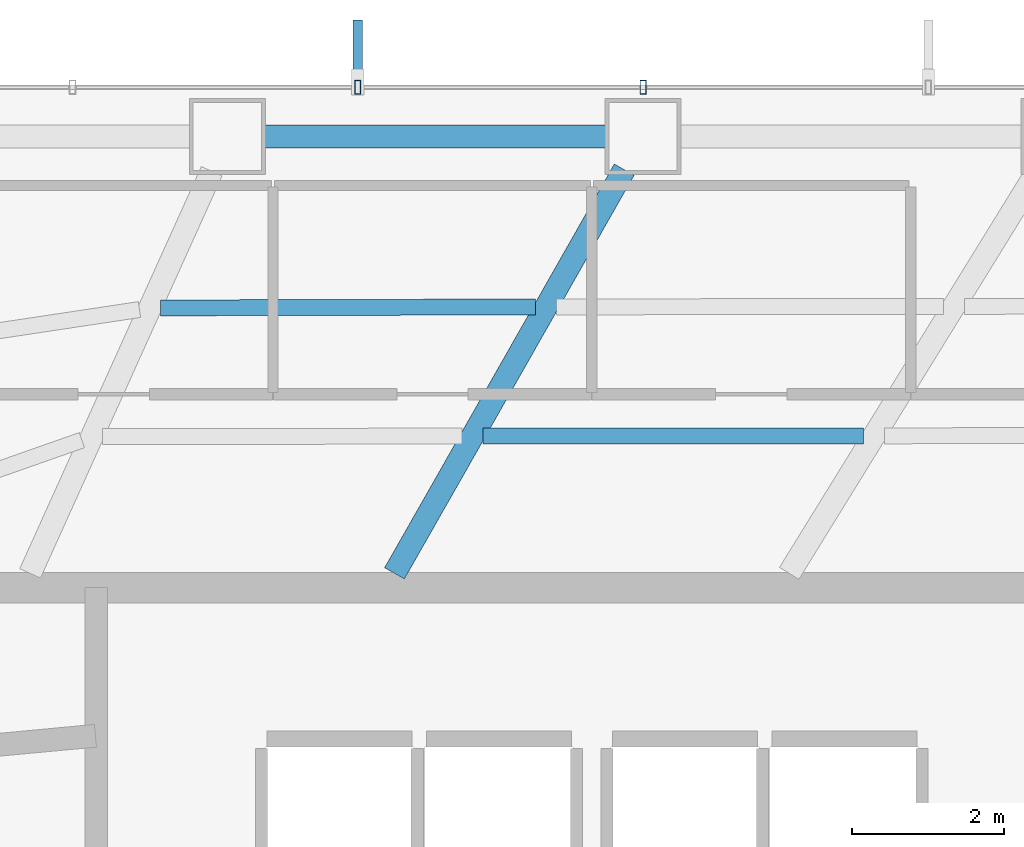
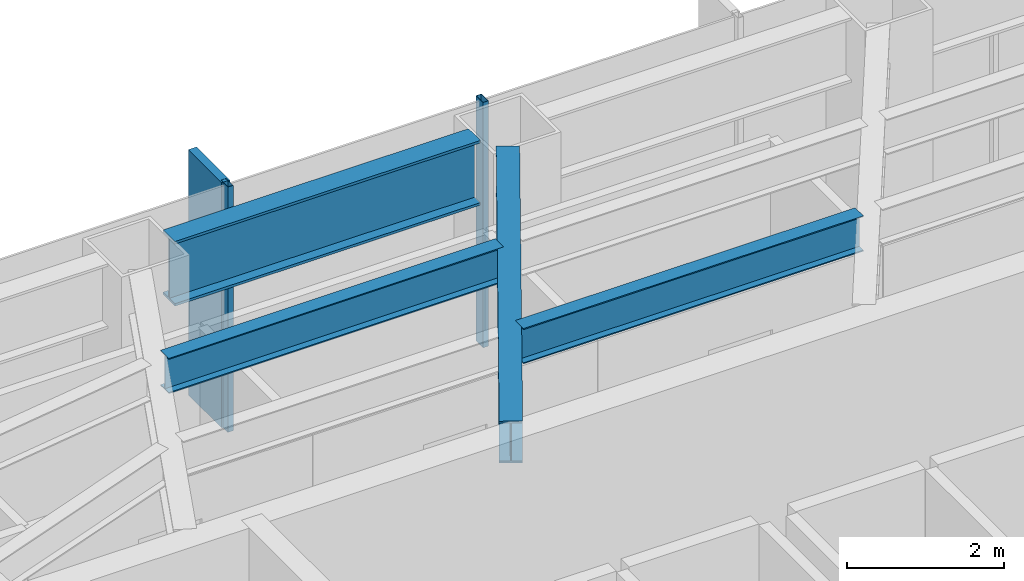
# One storey, part 13 of 25: 4 beams, 3 members, 1 element without a shape of its own.
"""IFC4 building model written with IfcOpenShell, lengths in metres."""

from ifc_helpers import new_model, si_unit, direction, frame, origin, origin_2d, place, context, subcontext, project, spatial, rectangle, hollow_rectangle, i_section, extrude, material, layer, layer_set, material_profile, profile_set, type_object, element, aggregate, save


model = new_model("IFC4")

# Units and contexts
model_context = context("Model", 3, precision=1e-05, world=origin(), true_north=direction((0.0, 1.0)))
body_context = subcontext(model_context, "Body", "Model", "MODEL_VIEW")
ifc_project = project(units=[si_unit("LENGTHUNIT", "METRE"), si_unit("AREAUNIT", "SQUARE_METRE"), si_unit("VOLUMEUNIT", "CUBIC_METRE"), si_unit("PLANEANGLEUNIT", "RADIAN"), si_unit("MASSUNIT", "GRAM", prefix="KILO")], contexts=[model_context])

# Site, building, storey
site_placement = place(None, origin())
site = spatial("IfcSite", under=ifc_project, at=site_placement, CompositionType="ELEMENT")
building_placement = place(site_placement, origin())
building = spatial("IfcBuilding", under=site, at=building_placement, Name="Zarrinselat Tower", CompositionType="ELEMENT")
storey_placement = place(building_placement, frame((0.0, 0.0, 43.860107421875)))
storey = spatial("IfcBuildingStorey", under=building, at=storey_placement, Name="L10", CompositionType="ELEMENT", Elevation=43.860107421875)

# Beams
ifc_material_1 = material(Name="Steel S355J2", Category="steel")
ifc_material_profile_1 = material_profile(ifc_material_1, i_section(OverallWidth=0.300048828125, OverallDepth=0.64990234375, WebThickness=0.01611328125, FlangeThickness=0.031005859375, at=origin_2d()), Name="HEB 650")
ifc_profile_set_1 = profile_set([ifc_material_profile_1], Name="Steel S355J2")
beam_type_1 = type_object("IfcBeamType", Name="BM-HEB650", PredefinedType="BEAM", material=ifc_profile_set_1)
beam_1_placement = place(storey_placement, frame((35.800048828125, 43.639892578125, 3.494873046875), z_axis=(0.494531005412, 0.869159987969, 0.0), x_axis=(-0.869159987969, 0.494531005412, 0.0)))
element("IfcBeam", 1, at=beam_1_placement, inside=storey, type_object=beam_type_1, Name="L10 Radial Primary Girder RG03", PredefinedType="BEAM", context=body_context, shape_type="SweptSolid", body=[
    extrude(i_section(OverallWidth=0.300048828125, OverallDepth=0.64990234375, WebThickness=0.01611328125, FlangeThickness=0.031005859375, at=origin_2d()), origin(), (0.0, 0.0, 1.0), 6.11865234375),
])
ifc_material_2 = material(Name="Steel S460M", Category="steel")
ifc_material_profile_2 = material_profile(ifc_material_2, i_section(OverallWidth=0.302001953125, OverallDepth=1.008056640625, WebThickness=0.02099609375, FlangeThickness=0.0400390625, at=origin_2d()), Name="HEM 1000")
ifc_profile_set_2 = profile_set([ifc_material_profile_2], Name="Steel S460M")
beam_type_2 = type_object("IfcBeamType", Name="BM-HEM1000", PredefinedType="BEAM", material=ifc_profile_set_2)
beam_2_placement = place(storey_placement, frame((34.086181640625, 49.394287109375, 3.31591796875), z_axis=(1.0, 0.0, 0.0), x_axis=(0.0, 1.0, 0.0)))
element("IfcBeam", 2, at=beam_2_placement, inside=storey, type_object=beam_type_2, Name="L10 Perimeter Spandrel Girder SP03", PredefinedType="BEAM", context=body_context, shape_type="SweptSolid", body=[
    extrude(i_section(OverallWidth=0.302001953125, OverallDepth=1.008056640625, WebThickness=0.02099609375, FlangeThickness=0.0400390625, at=origin_2d()), origin(), (0.0, 0.0, 1.0), 4.5),
])
ifc_material_3 = material(Name="Steel S355J2", Category="steel")
ifc_material_profile_3 = material_profile(ifc_material_3, i_section(OverallWidth=0.2099609375, OverallDepth=0.550048828125, WebThickness=0.010986328125, FlangeThickness=0.01708984375, at=origin_2d()), Name="IPE 550")
ifc_profile_set_3 = profile_set([ifc_material_profile_3], Name="Steel S355J2")
beam_type_3 = type_object("IfcBeamType", Name="BM-IPE550", PredefinedType="JOIST", material=ifc_profile_set_3)
beam_3_placement = place(storey_placement, frame((36.96875, 45.4482421875, 3.544921875), z_axis=(0.999999828941, 0.000584909239, 0.0), x_axis=(-0.000584909239, 0.999999828941, 0.0)))
element("IfcBeam", 3, at=beam_3_placement, inside=storey, type_object=beam_type_3, Name="L10 Composite Floor Joist 8-2", PredefinedType="JOIST", context=body_context, shape_type="SweptSolid", body=[
    extrude(i_section(OverallWidth=0.2099609375, OverallDepth=0.550048828125, WebThickness=0.010986328125, FlangeThickness=0.01708984375, at=origin_2d()), origin(), (0.0, 0.0, 1.0), 5.0087890625),
])
beam_4_placement = place(storey_placement, frame((32.718505859375, 47.13623046875, 3.544921875), z_axis=(0.999996303531, 0.002718993311, 0.0), x_axis=(-0.002718993311, 0.999996303531, 0.0)))
element("IfcBeam", 4, at=beam_4_placement, inside=storey, type_object=beam_type_3, Name="L10 Composite Floor Joist 9-1", PredefinedType="JOIST", context=body_context, shape_type="SweptSolid", body=[
    extrude(i_section(OverallWidth=0.2099609375, OverallDepth=0.550048828125, WebThickness=0.010986328125, FlangeThickness=0.01708984375, at=origin_2d()), origin(), (0.0, 0.0, 1.0), 4.9384765625),
])

# Curtain wall, members
ifc_material_4 = material(Name="Extruded Aluminium Alloy EN AW-6063 T6", Category="aluminium")
ifc_layer = layer(ifc_material_4, 0.18505859375)
ifc_layer_set = layer_set([ifc_layer], Name="Extruded Aluminium Alloy EN AW-6063 T6")
curtain_wall_type = type_object("IfcCurtainWallType", Name="CWS-OFF", PredefinedType="NOTDEFINED", material=ifc_layer_set)
curtain_wall_placement = place(storey_placement, origin())
curtain_wall = element("IfcCurtainWall", 5, at=curtain_wall_placement, inside=storey, type_object=curtain_wall_type, Name="L10 Unitised Curtain Wall CW-L10-E01", PredefinedType="NOTDEFINED")
ifc_material_5 = material(Name="Extruded Aluminium Alloy EN AW-6063 T6", Category="aluminium")
ifc_material_profile_4 = material_profile(ifc_material_5, hollow_rectangle(XDim=0.080078125, YDim=0.179931640625, WallThickness=0.0048828125, at=origin_2d()), Name="RHS 180x80x5")
ifc_profile_set_4 = profile_set([ifc_material_profile_4], Name="Extruded Aluminium Alloy EN AW-6063 T6")
member_type_1 = type_object("IfcMemberType", Name="MEM-CW-MUL", PredefinedType="MULLION", material=ifc_profile_set_4)
member_1_placement = place(storey_placement, frame((39.07421875, 50.04443359375, 0.0), z_axis=(0.0, 0.0, 1.0), x_axis=(-1.0, 0.0, 0.0)))
member_1 = element("IfcMember", 6, at=member_1_placement, type_object=member_type_1, Name="CW-L10-E01 Mullion 4", PredefinedType="MULLION", context=body_context, shape_type="SweptSolid", body=[
    extrude(hollow_rectangle(XDim=0.080078125, YDim=0.179931640625, WallThickness=0.0048828125, at=origin_2d()), origin(), (0.0, 0.0, 1.0), 3.81982421875),
])
member_2_placement = place(storey_placement, frame((35.31591796875, 50.04443359375, 0.0), z_axis=(0.0, 0.0, 1.0), x_axis=(-1.0, 0.0, 0.0)))
member_2 = element("IfcMember", 7, at=member_2_placement, type_object=member_type_1, Name="CW-L10-E01 Mullion 5", PredefinedType="MULLION", context=body_context, shape_type="SweptSolid", body=[
    extrude(hollow_rectangle(XDim=0.080078125, YDim=0.179931640625, WallThickness=0.0048828125, at=origin_2d()), origin(), (0.0, 0.0, 1.0), 3.81982421875),
])
ifc_material_6 = material(Name="Honed Cream Travertine Stone", Category="masonry")
ifc_material_profile_5 = material_profile(ifc_material_6, rectangle(XDim=0.1201171875, YDim=0.85009765625, at=origin_2d()), Name="FIN 850x120")
ifc_profile_set_5 = profile_set([ifc_material_profile_5], Name="Honed Cream Travertine Stone")
member_type_2 = type_object("IfcMemberType", Name="MEM-STONE-FIN", PredefinedType="USERDEFINED", material=ifc_profile_set_5)
member_3_placement = place(storey_placement, frame((35.31591796875, 50.50439453125, 0.0), z_axis=(0.0, 0.0, 1.0), x_axis=(1.0, 0.0, 0.0)))
member_3 = element("IfcMember", 8, at=member_3_placement, type_object=member_type_2, Name="L10 Stone Shading Fin CW-L10-E01-05", ObjectType="FIN", PredefinedType="USERDEFINED", context=body_context, shape_type="SweptSolid", body=[
    extrude(rectangle(XDim=0.1201171875, YDim=0.85009765625, at=origin_2d()), origin(), (0.0, 0.0, 1.0), 3.81982421875),
])
aggregate(curtain_wall, [member_1, member_2, member_3])

save(model, "model.ifc")
